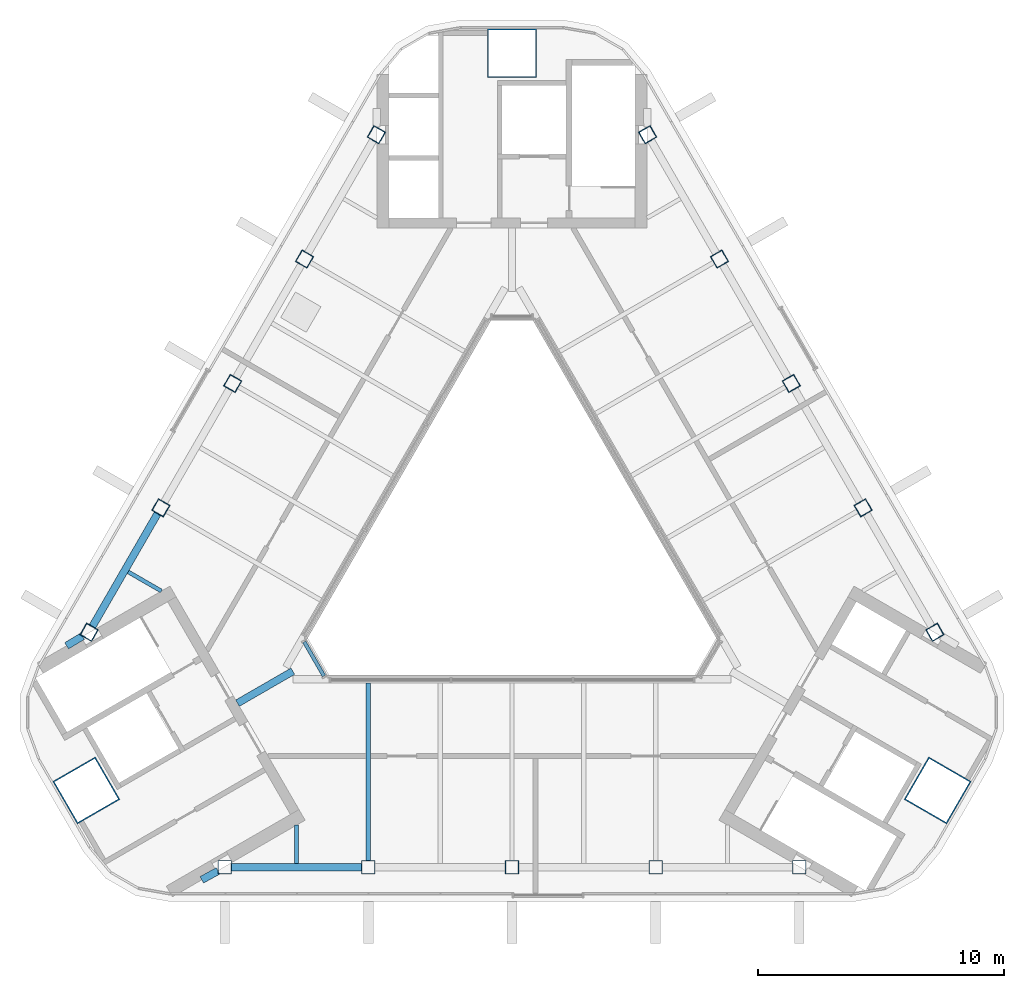
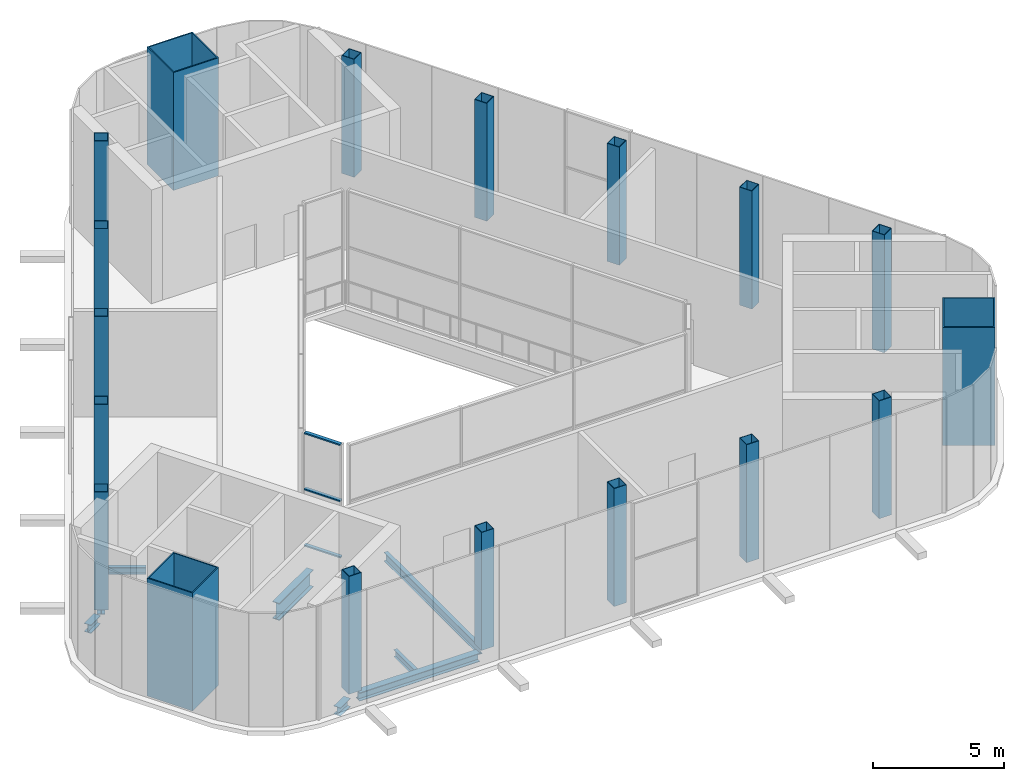
# One storey, part 1 of 9: 18 columns, 8 beams, 3 members, 1 element without a shape of its own.
"""IFC4 building model written with IfcOpenShell, lengths in metres."""

import ifcopenshell
import ifcopenshell.guid

model = None  # the IFC model being written
_history = None  # IfcOwnerHistory: only IFC2X3 demands one
_inside = {}  # id of a spatial element -> (the spatial element, [elements in it])
_under = {}  # id of a project, library or spatial element -> (it, [spatial elements below it])
_declared = {}  # id of a project -> (the project, [libraries it declares])
_typed = {}  # id of a type object -> (the type object, [elements of that type])
_made_of = {}  # id of a material, layer set ... -> (it, [elements and type objects made of it])


def new_model(schema):
    """Start an empty IFC model of exactly this schema.

    Asked for "IFC4X3", IfcOpenShell would pick the latest addendum, in which some entities
    have other attributes; the version numbers below select the first issue.
    IFC2X3 requires an IfcOwnerHistory on every rooted entity: one is made here for all.
    """
    global model, _history
    if schema == "IFC4X3":
        model = ifcopenshell.file(schema_version=(4, 3, 0, 0))
    else:
        model = ifcopenshell.file(schema=schema)
    _inside.clear()
    _under.clear()
    _declared.clear()
    _typed.clear()
    _made_of.clear()
    _history = None
    if model.schema == "IFC2X3":
        org = make("IfcOrganization", Name="unknown")
        user = make(
            "IfcPersonAndOrganization",
            ThePerson=make("IfcPerson", FamilyName="unknown"),
            TheOrganization=org,
        )
        app = make(
            "IfcApplication",
            ApplicationDeveloper=org,
            Version="unknown",
            ApplicationFullName="unknown",
            ApplicationIdentifier="unknown",
        )
        _history = make(
            "IfcOwnerHistory",
            OwningUser=user,
            OwningApplication=app,
            ChangeAction="ADDED",
            CreationDate=0,
        )
    return model


def make(cls, **values):
    """One entity of the class cls with the attributes given. An attribute that is None is left unset."""
    return model.create_entity(
        cls, **{name: value for name, value in values.items() if value is not None}
    )


def rooted(cls, **values):
    """An entity with a GlobalId (a new one), such as an element, a storey or a relation."""
    return make(cls, GlobalId=ifcopenshell.guid.new(), OwnerHistory=_history, **values)


def si_unit(unit_type, name, prefix=None):
    """IfcSIUnit, for example si_unit("LENGTHUNIT", "METRE", prefix="MILLI")."""
    return make("IfcSIUnit", UnitType=unit_type, Prefix=prefix, Name=name)


def assignment(units):
    """IfcUnitAssignment: the units of a project."""
    return None if units is None else make("IfcUnitAssignment", Units=units)


def point(xyz):
    """IfcCartesianPoint."""
    return None if xyz is None else make("IfcCartesianPoint", Coordinates=xyz)


def direction(xyz):
    """IfcDirection."""
    return None if xyz is None else make("IfcDirection", DirectionRatios=xyz)


def frame(location, z_axis=None, x_axis=None):
    """IfcAxis2Placement3D, a coordinate frame: its origin and axes. An axis left out is left unset."""
    return make(
        "IfcAxis2Placement3D",
        Location=point(location),
        Axis=direction(z_axis),
        RefDirection=direction(x_axis),
    )


def frame_2d(location, x_axis=None):
    """IfcAxis2Placement2D, a coordinate frame in the plane: its origin and x axis."""
    return make(
        "IfcAxis2Placement2D", Location=point(location), RefDirection=direction(x_axis)
    )


def origin():
    """The frame at (0, 0, 0) with its axes left unset."""
    return frame((0.0, 0.0, 0.0))


def origin_2d():
    """The frame at (0, 0) in the plane with its x axis left unset."""
    return frame_2d((0.0, 0.0))


def place(relative_to, where):
    """IfcLocalPlacement: puts the frame where relative to a parent placement (None: the world)."""
    return make(
        "IfcLocalPlacement", PlacementRelTo=relative_to, RelativePlacement=where
    )


def context(
    kind, dimensions, precision=None, world=None, true_north=None, identifier=None
):
    """IfcGeometricRepresentationContext, for example the 3D "Model" context."""
    return make(
        "IfcGeometricRepresentationContext",
        ContextIdentifier=identifier,
        ContextType=kind,
        CoordinateSpaceDimension=dimensions,
        Precision=precision,
        WorldCoordinateSystem=world,
        TrueNorth=true_north,
    )


def subcontext(parent, identifier, kind, view, scale=None):
    """IfcGeometricRepresentationSubContext, for example "Body" below "Model"."""
    return make(
        "IfcGeometricRepresentationSubContext",
        ContextIdentifier=identifier,
        ContextType=kind,
        ParentContext=parent,
        TargetScale=scale,
        TargetView=view,
    )


def project(units=None, contexts=None):
    """IfcProject with its units and contexts."""
    return rooted(
        "IfcProject",
        Name="project",
        RepresentationContexts=contexts,
        UnitsInContext=assignment(units),
    )


def spatial(cls, under=None, at=None, **own):
    """A site, building, storey or space (cls), placed at a placement, below another one or the project."""
    s = rooted(cls, ObjectPlacement=at, **own)
    if under is not None:
        _under.setdefault(under.id(), (under, []))[1].append(s)
    return s


def profile(cls, at=None, kind="AREA", **sizes):
    """A parametric profile (cls). Its sizes go by their IFC names, for example OverallWidth=200.0."""
    return make(cls, ProfileType=kind, Position=at, **sizes)


def rectangle(**sizes):
    """IfcRectangleProfileDef."""
    return profile("IfcRectangleProfileDef", **sizes)


def hollow_rectangle(**sizes):
    """IfcRectangleHollowProfileDef."""
    return profile("IfcRectangleHollowProfileDef", **sizes)


def i_section(**sizes):
    """IfcIShapeProfileDef."""
    return profile("IfcIShapeProfileDef", **sizes)


def extrude(swept, where, along, depth):
    """IfcExtrudedAreaSolid: the profile swept, set in the frame where, extruded along a direction by depth."""
    return make(
        "IfcExtrudedAreaSolid",
        SweptArea=swept,
        Position=where,
        ExtrudedDirection=direction(along),
        Depth=depth,
    )


def shape(context_of_items, identifier, shape_type, items):
    """IfcShapeRepresentation: the items that make up one representation, for example the "Body"."""
    return make(
        "IfcShapeRepresentation",
        ContextOfItems=context_of_items,
        RepresentationIdentifier=identifier,
        RepresentationType=shape_type,
        Items=items,
    )


def material(Name=None, Category=None):
    """IfcMaterial."""
    return make("IfcMaterial", Name=Name, Category=Category)


def layer(
    of_material, thickness, ventilated=None, Name=None, Category=None, Priority=None
):
    """IfcMaterialLayer: one layer of a wall or slab, of a material (None: an air gap)."""
    return make(
        "IfcMaterialLayer",
        Material=of_material,
        LayerThickness=thickness,
        IsVentilated=ventilated,
        Name=Name,
        Category=Category,
        Priority=Priority,
    )


def layer_set(layers, Name=None):
    """IfcMaterialLayerSet."""
    return make("IfcMaterialLayerSet", MaterialLayers=layers, LayerSetName=Name)


def material_profile(
    of_material, cross_section, Name=None, Category=None, Priority=None
):
    """IfcMaterialProfile: a cross section and its material."""
    return make(
        "IfcMaterialProfile",
        Name=Name,
        Material=of_material,
        Profile=cross_section,
        Priority=Priority,
        Category=Category,
    )


def profile_set(profiles, Name=None, composite=None):
    """IfcMaterialProfileSet."""
    return make(
        "IfcMaterialProfileSet",
        Name=Name,
        MaterialProfiles=profiles,
        CompositeProfile=composite,
    )


def made_of(thing, what):
    """Note that an element or type object is made of a material, layer set ...; save() writes the relation."""
    if what is not None:
        _made_of.setdefault(what.id(), (what, []))[1].append(thing)
    return thing


def type_object(cls, material=None, **own):
    """A type object (cls), such as IfcWallType, which elements share."""
    return made_of(rooted(cls, **own), material)


def element(
    cls,
    number,
    at=None,
    inside=None,
    cuts=None,
    type_object=None,
    material=None,
    context=None,
    identifier="Body",
    shape_type=None,
    held_by="IfcProductDefinitionShape",
    body=None,
    shapes=None,
    **own,
):
    """One element of the class cls, such as IfcWall. Its Tag is "e" and its number.

    at: its placement. inside: the storey or other place that contains it. cuts: it is an
    opening in that element (IfcRelVoidsElement). A single representation is given by context,
    identifier, shape_type and body (its items); several are given by shapes. held_by: the class
    of the entity that holds the representations. save() writes the other relations.
    """
    e = rooted(cls, Tag="e%d" % number, ObjectPlacement=at, **own)
    if body is not None:
        shapes = [shape(context, identifier, shape_type, body)]
    if shapes is not None:
        e.Representation = make(held_by, Representations=shapes)
    if inside is not None:
        _inside.setdefault(inside.id(), (inside, []))[1].append(e)
    if cuts is not None:
        rooted(
            "IfcRelVoidsElement", RelatingBuildingElement=cuts, RelatedOpeningElement=e
        )
    if type_object is not None:
        _typed.setdefault(type_object.id(), (type_object, []))[1].append(e)
    return made_of(e, material)


def aggregate(whole, parts):
    """IfcRelAggregates: a whole, such as a stair, and the parts it consists of."""
    return rooted("IfcRelAggregates", RelatingObject=whole, RelatedObjects=parts)


def save(model, path):
    """Write the relations noted so far, then the file.

    IfcRelAggregates (storeys below a building ...), IfcRelContainedInSpatialStructure (elements
    in a storey), IfcRelDefinesByType, IfcRelAssociatesMaterial and IfcRelDeclares: one each for
    every whole, place, type object, material and project.
    """
    for whole, parts in _under.values():
        aggregate(whole, parts)
    for where, things in _inside.values():
        rooted(
            "IfcRelContainedInSpatialStructure",
            RelatedElements=things,
            RelatingStructure=where,
        )
    for kind, things in _typed.values():
        rooted("IfcRelDefinesByType", RelatedObjects=things, RelatingType=kind)
    for what, things in _made_of.values():
        rooted("IfcRelAssociatesMaterial", RelatedObjects=things, RelatingMaterial=what)
    for by, libraries in _declared.values():
        rooted("IfcRelDeclares", RelatingContext=by, RelatedDefinitions=libraries)
    model.write(path)


model = new_model("IFC4")

# Units and contexts
model_context = context("Model", 3, precision=1e-05, world=origin(), true_north=direction((0.0, 1.0)))
body_context = subcontext(model_context, "Body", "Model", "MODEL_VIEW")
ifc_project = project(units=[si_unit("LENGTHUNIT", "METRE"), si_unit("AREAUNIT", "SQUARE_METRE"), si_unit("VOLUMEUNIT", "CUBIC_METRE"), si_unit("PLANEANGLEUNIT", "RADIAN"), si_unit("MASSUNIT", "GRAM", prefix="KILO")], contexts=[model_context])

# Site, building, storey
site_placement = place(None, origin())
site = spatial("IfcSite", under=ifc_project, at=site_placement, CompositionType="ELEMENT")
building_placement = place(site_placement, origin())
building = spatial("IfcBuilding", under=site, at=building_placement, Name="Apuvela Tower Hotel", CompositionType="ELEMENT")
storey_placement = place(building_placement, frame((0.0, 0.0, 343.300048828125)))
storey = spatial("IfcBuildingStorey", under=building, at=storey_placement, Name="R-1 ROOF", CompositionType="ELEMENT", Elevation=343.300048828125)

# Columns
ifc_material_1 = material(Name="Steel S460", Category="steel")
ifc_material_profile_1 = material_profile(ifc_material_1, hollow_rectangle(XDim=2.0, YDim=2.0, WallThickness=0.050048828125, at=origin_2d()), Name="BOX 2000x2000x50")
ifc_material_2 = material(Name="Concrete C80/95", Category="concrete")
ifc_material_profile_2 = material_profile(ifc_material_2, rectangle(XDim=1.89990234375, YDim=1.89990234375, at=origin_2d()), Name="Concrete C80/95 infill")
ifc_profile_set_1 = profile_set([ifc_material_profile_1, ifc_material_profile_2], Name="Steel S460")
column_type_1 = type_object("IfcColumnType", Name="STR-MC mega column BOX 2000x2000x50", PredefinedType="COLUMN", material=ifc_profile_set_1)
for number, where, z_axis, x_axis, name in (
    (1, (0.0, 20.00634765625, 0.0), (0.0, 0.0, 1.0), (1.0, 0.0, 0.0), "Mega column MC4 N"),
    (2, (-17.326171875, -10.003173828125, 0.0), (0.0, 0.0, 1.0), (-0.5, 0.866025403784, 0.0), "Mega column MC4 SW"),
    (3, (17.326171875, -10.003173828125, 0.0), (0.0, 0.0, 1.0), (0.5, 0.866025403784, 0.0), "Mega column MC4 SE"),
):
    element("IfcColumn", number, at=place(storey_placement, frame(where, z_axis=z_axis, x_axis=x_axis)), inside=storey, type_object=column_type_1, Name=name, PredefinedType="COLUMN", context=body_context, shape_type="SweptSolid", body=[
        extrude(hollow_rectangle(XDim=2.0, YDim=2.0, WallThickness=0.050048828125, at=origin_2d()), origin(), (0.0, 0.0, 1.0), 5.5),
    ])
ifc_material_profile_3 = material_profile(ifc_material_1, hollow_rectangle(XDim=0.550048828125, YDim=0.550048828125, WallThickness=0.02490234375, at=origin_2d()), Name="BOX 550x550x25")
ifc_material_profile_4 = material_profile(ifc_material_2, rectangle(XDim=0.5, YDim=0.5, at=origin_2d()), Name="Concrete C80/95 infill")
ifc_profile_set_2 = profile_set([ifc_material_profile_3, ifc_material_profile_4], Name="Steel S460")
column_type_2 = type_object("IfcColumnType", Name="STR-PC perimeter column BOX 550x550x25", PredefinedType="COLUMN", material=ifc_profile_set_2)
for number, where, z_axis, x_axis, name in (
    (4, (-11.69189453125, -13.126220703125, 0.0), (0.0, 0.0, 1.0), (-1.0, 0.0, 0.0), "Perimeter column C7 S1"),
    (5, (-5.845947265625, -13.126220703125, 0.0), (0.0, 0.0, 1.0), (-1.0, 0.0, 0.0), "Perimeter column C7 S2"),
    (6, (0.0, -13.126220703125, 0.0), (0.0, 0.0, 1.0), (-1.0, 0.0, 0.0), "Perimeter column C7 S3"),
    (7, (5.845947265625, -13.126220703125, 0.0), (0.0, 0.0, 1.0), (-1.0, 0.0, 0.0), "Perimeter column C7 S4"),
    (8, (11.69189453125, -13.126220703125, 0.0), (0.0, 0.0, 1.0), (-1.0, 0.0, 0.0), "Perimeter column C7 S5"),
    (9, (17.213623046875, -3.5625, 0.0), (0.0, 0.0, 1.0), (-0.5, 0.866025403784, 0.0), "Perimeter column C7 NE1"),
    (10, (14.29052734375, 1.500244140625, 0.0), (0.0, 0.0, 1.0), (-0.5, 0.866025403784, 0.0), "Perimeter column C7 NE2"),
    (11, (11.36767578125, 6.56298828125, 0.0), (0.0, 0.0, 1.0), (-0.5, 0.866025403784, 0.0), "Perimeter column C7 NE3"),
    (12, (8.444580078125, 11.6259765625, 0.0), (0.0, 0.0, 1.0), (-0.5, 0.866025403784, 0.0), "Perimeter column C7 NE4"),
    (13, (5.521484375, 16.688720703125, 0.0), (0.0, 0.0, 1.0), (-0.5, 0.866025403784, 0.0), "Perimeter column C7 NE5"),
    (14, (-5.521484375, 16.688720703125, 0.0), (0.0, 0.0, 1.0), (0.5, 0.866025403784, 0.0), "Perimeter column C7 NW1"),
    (15, (-8.444580078125, 11.6259765625, 0.0), (0.0, 0.0, 1.0), (0.5, 0.866025403784, 0.0), "Perimeter column C7 NW2"),
    (16, (-11.36767578125, 6.56298828125, 0.0), (0.0, 0.0, 1.0), (0.5, 0.866025403784, 0.0), "Perimeter column C7 NW3"),
    (17, (-14.29052734375, 1.500244140625, 0.0), (0.0, 0.0, 1.0), (0.5, 0.866025403784, 0.0), "Perimeter column C7 NW4"),
    (18, (-17.213623046875, -3.5625, 0.0), (0.0, 0.0, 1.0), (0.5, 0.866025403784, 0.0), "Perimeter column C7 NW5"),
):
    element("IfcColumn", number, at=place(storey_placement, frame(where, z_axis=z_axis, x_axis=x_axis)), inside=storey, type_object=column_type_2, Name=name, PredefinedType="COLUMN", context=body_context, shape_type="SweptSolid", body=[
        extrude(hollow_rectangle(XDim=0.550048828125, YDim=0.550048828125, WallThickness=0.02490234375, at=origin_2d()), origin(), (0.0, 0.0, 1.0), 5.5),
    ])

# Curtain wall, members
ifc_material_3 = material(Name="Aluminium 6063-T6, dark bronze anodised", Category="aluminium")
ifc_layer = layer(ifc_material_3, 0.199951171875)
ifc_layer_set = layer_set([ifc_layer], Name="ENV-CW-A")
curtain_wall_type = type_object("IfcCurtainWallType", Name="ENV-CW-A", PredefinedType="NOTDEFINED", material=ifc_layer_set)
curtain_wall_placement = place(storey_placement, origin())
curtain_wall = element("IfcCurtainWall", 19, at=curtain_wall_placement, inside=storey, type_object=curtain_wall_type, Name="Atrium glazing 3 R-1 ROOF", PredefinedType="NOTDEFINED")
ifc_material_profile_5 = material_profile(ifc_material_3, rectangle(XDim=0.14990234375, YDim=0.06494140625, at=origin_2d()), Name="AL 65x150 transom")
ifc_profile_set_3 = profile_set([ifc_material_profile_5], Name="Aluminium 6063-T6, dark bronze anodised")
member_type = type_object("IfcMemberType", Name="ENV-TRANSOM-65x150", PredefinedType="USERDEFINED", material=ifc_profile_set_3)
member_1_placement = place(storey_placement, frame((-8.45458984375, -3.956298828125, 0.032470703125), z_axis=(0.499990676028, -0.866030786915, 0.0), x_axis=(0.866030786915, 0.499990676028, 0.0)))
member_1 = element("IfcMember", 20, at=member_1_placement, type_object=member_type, Name="CW-A transom 1.1", ObjectType="TRANSOM", PredefinedType="USERDEFINED", context=body_context, shape_type="SweptSolid", body=[
    extrude(rectangle(XDim=0.14990234375, YDim=0.06494140625, at=origin_2d()), origin(), (0.0, 0.0, 1.0), 1.60205078125),
])
member_2_placement = place(storey_placement, frame((-8.45458984375, -3.956298828125, 2.64990234375), z_axis=(0.499990676028, -0.866030786915, 0.0), x_axis=(0.866030786915, 0.499990676028, 0.0)))
member_2 = element("IfcMember", 21, at=member_2_placement, type_object=member_type, Name="CW-A transom 1.2", ObjectType="TRANSOM", PredefinedType="USERDEFINED", context=body_context, shape_type="SweptSolid", body=[
    extrude(rectangle(XDim=0.14990234375, YDim=0.06494140625, at=origin_2d()), origin(), (0.0, 0.0, 1.0), 1.60205078125),
])
member_3_placement = place(storey_placement, frame((-8.45458984375, -3.956298828125, 5.267333984375), z_axis=(0.499990676028, -0.866030786915, 0.0), x_axis=(0.866030786915, 0.499990676028, 0.0)))
member_3 = element("IfcMember", 22, at=member_3_placement, type_object=member_type, Name="CW-A transom 1.3", ObjectType="TRANSOM", PredefinedType="USERDEFINED", context=body_context, shape_type="SweptSolid", body=[
    extrude(rectangle(XDim=0.14990234375, YDim=0.06494140625, at=origin_2d()), origin(), (0.0, 0.0, 1.0), 1.60205078125),
])
aggregate(curtain_wall, [member_1, member_2, member_3])

# Beams
ifc_material_4 = material(Name="Steel S355", Category="steel")
ifc_material_profile_6 = material_profile(ifc_material_4, i_section(OverallWidth=0.159912109375, OverallDepth=0.330078125, WebThickness=0.007568359375, FlangeThickness=0.011474609375, at=origin_2d()), Name="IPE 330")
ifc_profile_set_4 = profile_set([ifc_material_profile_6], Name="Steel S355")
beam_type_1 = type_object("IfcBeamType", Name="STR-B floor beam IPE 330", PredefinedType="BEAM", material=ifc_profile_set_4)
beam_1_placement = place(storey_placement, frame((-15.622314453125, -1.106201171875, -0.364990234375), z_axis=(0.866042488821, -0.49997040668, 0.0), x_axis=(0.49997040668, 0.866042488821, 0.0)))
element("IfcBeam", 23, at=beam_1_placement, inside=storey, type_object=beam_type_1, Name="Floor beam B1 NW8", PredefinedType="BEAM", context=body_context, shape_type="SweptSolid", body=[
    extrude(i_section(OverallWidth=0.159912109375, OverallDepth=0.330078125, WebThickness=0.007568359375, FlangeThickness=0.011474609375, at=origin_2d()), origin(), (0.0, 0.0, 1.0), 1.5625),
])
beam_2_placement = place(storey_placement, frame((-8.76904296875, -12.976318359375, -0.364990234375), z_axis=(0.0, 1.0, 0.0), x_axis=(-1.0, 0.0, 0.0)))
element("IfcBeam", 24, at=beam_2_placement, inside=storey, type_object=beam_type_1, Name="Floor beam B1 S2", PredefinedType="BEAM", context=body_context, shape_type="SweptSolid", body=[
    extrude(i_section(OverallWidth=0.159912109375, OverallDepth=0.330078125, WebThickness=0.007568359375, FlangeThickness=0.011474609375, at=origin_2d()), origin(), (0.0, 0.0, 1.0), 1.562744140625),
])
ifc_material_profile_7 = material_profile(ifc_material_4, i_section(OverallWidth=0.179931640625, OverallDepth=0.39990234375, WebThickness=0.008544921875, FlangeThickness=0.013427734375, at=origin_2d()), Name="IPE 400")
ifc_profile_set_5 = profile_set([ifc_material_profile_7], Name="Steel S355")
beam_type_2 = type_object("IfcBeamType", Name="STR-B floor beam IPE 400", PredefinedType="BEAM", material=ifc_profile_set_5)
beam_3_placement = place(storey_placement, frame((-5.845947265625, -12.851318359375, -0.400146484375), z_axis=(0.0, 1.0, 0.0), x_axis=(-1.0, 0.0, 0.0)))
element("IfcBeam", 25, at=beam_3_placement, inside=storey, type_object=beam_type_2, Name="Floor beam B2 S3", PredefinedType="BEAM", context=body_context, shape_type="SweptSolid", body=[
    extrude(i_section(OverallWidth=0.179931640625, OverallDepth=0.39990234375, WebThickness=0.008544921875, FlangeThickness=0.013427734375, at=origin_2d()), origin(), (0.0, 0.0, 1.0), 7.231201171875),
])
ifc_material_profile_8 = material_profile(ifc_material_4, i_section(OverallWidth=0.300048828125, OverallDepth=0.800048828125, WebThickness=0.017578125, FlangeThickness=0.032958984375, at=origin_2d()), Name="HE 800 B")
ifc_profile_set_6 = profile_set([ifc_material_profile_8], Name="Steel S355")
beam_type_3 = type_object("IfcBeamType", Name="STR-GT core tie beam HE 800 B", PredefinedType="BEAM", material=ifc_profile_set_6)
beam_4_placement = place(storey_placement, frame((-11.171630859375, -6.449951171875, -0.60009765625), z_axis=(0.865997922154, 0.500047596559, 0.0), x_axis=(-0.500047596559, 0.865997922154, 0.0)))
element("IfcBeam", 26, at=beam_4_placement, inside=storey, type_object=beam_type_3, Name="Core tie beam GT1 SW", PredefinedType="BEAM", context=body_context, shape_type="SweptSolid", body=[
    extrude(i_section(OverallWidth=0.300048828125, OverallDepth=0.800048828125, WebThickness=0.017578125, FlangeThickness=0.032958984375, at=origin_2d()), origin(), (0.0, 0.0, 1.0), 2.599853515625),
])
ifc_material_profile_9 = material_profile(ifc_material_4, i_section(OverallWidth=0.300048828125, OverallDepth=0.389892578125, WebThickness=0.010986328125, FlangeThickness=0.01904296875, at=origin_2d()), Name="HE 400 A")
ifc_profile_set_7 = profile_set([ifc_material_profile_9], Name="Steel S355")
beam_type_4 = type_object("IfcBeamType", Name="STR-SB spandrel beam HE 400 A", PredefinedType="SPANDREL", material=ifc_profile_set_7)
beam_5_placement = place(storey_placement, frame((-11.4169921875, -13.126220703125, -0.39501953125), z_axis=(1.0, 0.0, 0.0), x_axis=(0.0, 1.0, 0.0)))
element("IfcBeam", 27, at=beam_5_placement, inside=storey, type_object=beam_type_4, Name="Spandrel beam SB4 S1", PredefinedType="SPANDREL", context=body_context, shape_type="SweptSolid", body=[
    extrude(i_section(OverallWidth=0.300048828125, OverallDepth=0.389892578125, WebThickness=0.010986328125, FlangeThickness=0.01904296875, at=origin_2d()), origin(), (0.0, 0.0, 1.0), 5.2958984375),
])
beam_6_placement = place(storey_placement, frame((-14.427978515625, 1.26220703125, -0.39501953125), z_axis=(-0.500031041629, -0.86600748115, 0.0), x_axis=(0.86600748115, -0.500031041629, 0.0)))
element("IfcBeam", 28, at=beam_6_placement, inside=storey, type_object=beam_type_4, Name="Spandrel beam SB4 NW4", PredefinedType="SPANDREL", context=body_context, shape_type="SweptSolid", body=[
    extrude(i_section(OverallWidth=0.300048828125, OverallDepth=0.389892578125, WebThickness=0.010986328125, FlangeThickness=0.01904296875, at=origin_2d()), origin(), (0.0, 0.0, 1.0), 5.296142578125),
])
for number, where, z_axis, x_axis, name in (
    (29, (-11.967041015625, -13.277587890625, -0.39501953125), (-0.875908078842, -0.482478017551, 0.0), (0.482478017551, -0.875908078842, 0.0), "Spandrel beam SB4 S1-SW"),
    (30, (-17.482421875, -3.724853515625, -0.39501953125), (-0.855658607708, -0.517540671884, 0.0), (0.517540671884, -0.855658607708, 0.0), "Spandrel beam SB4 NW5-SW"),
):
    element("IfcBeam", number, at=place(storey_placement, frame(where, z_axis=z_axis, x_axis=x_axis)), inside=storey, type_object=beam_type_4, Name=name, PredefinedType="SPANDREL", context=body_context, shape_type="SweptSolid", body=[
        extrude(i_section(OverallWidth=0.300048828125, OverallDepth=0.389892578125, WebThickness=0.010986328125, FlangeThickness=0.01904296875, at=origin_2d()), origin(), (0.0, 0.0, 1.0), 0.75390625),
    ])

save(model, "model.ifc")
